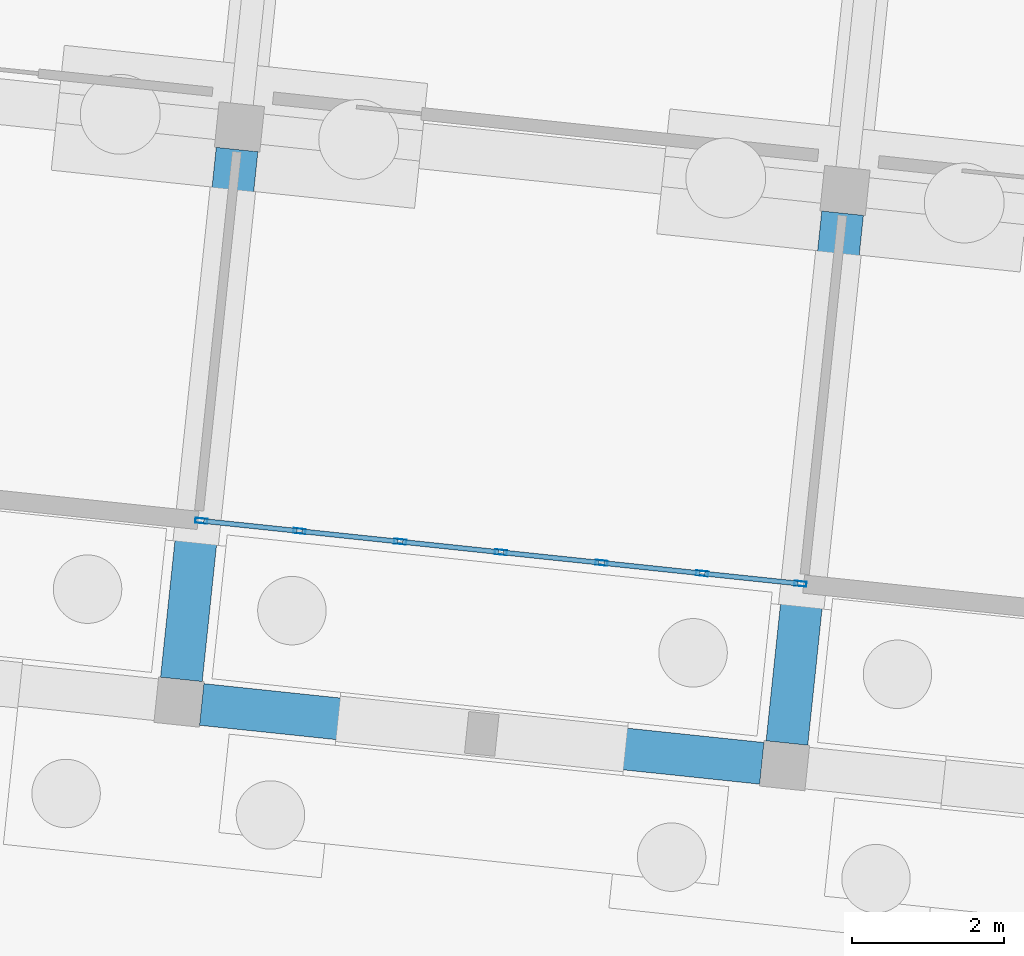
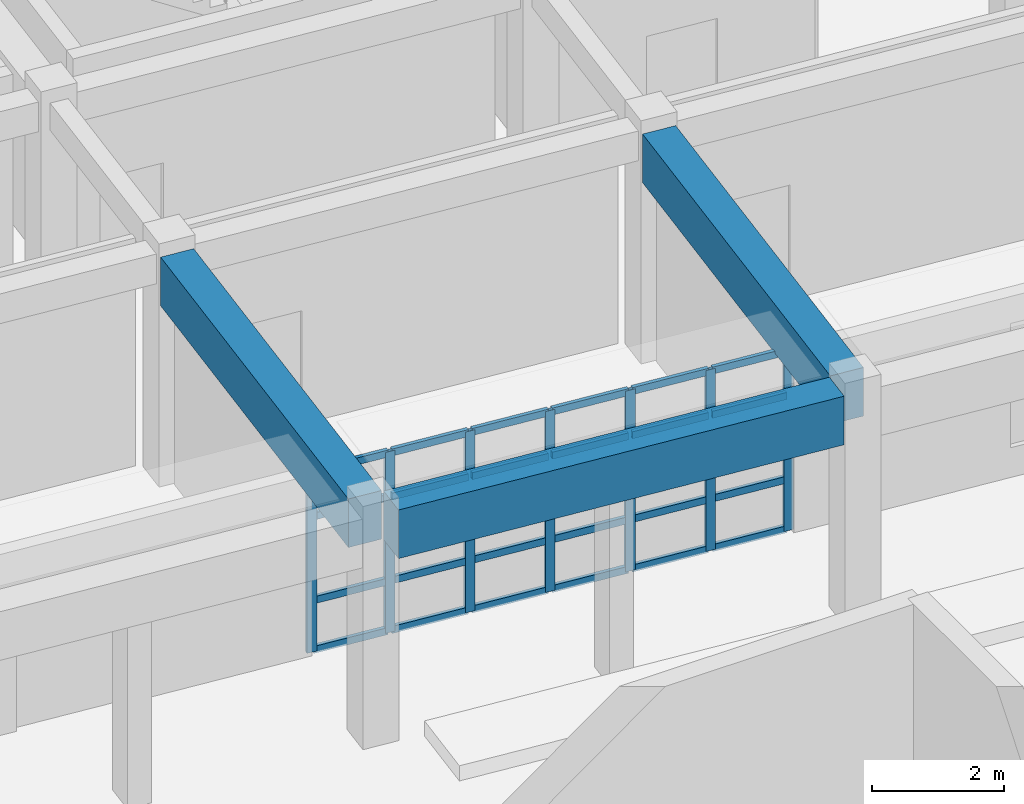
# One storey, part 96 of 154: 31 members, 3 beams, 1 element without a shape of its own.
"""IFC4 building model written with IfcOpenShell, lengths in metres."""

from ifc_helpers import new_model, si_unit, direction, frame, origin, origin_2d, place, context, subcontext, project, spatial, rectangle, hollow_rectangle, extrude, material, material_profile, profile_set, type_object, element, aggregate, save


model = new_model("IFC4")

# Units and contexts
model_context = context("Model", 3, precision=1e-05, world=origin(), true_north=direction((0.0, 1.0)))
body_context = subcontext(model_context, "Body", "Model", "MODEL_VIEW")
ifc_project = project(units=[si_unit("LENGTHUNIT", "METRE"), si_unit("AREAUNIT", "SQUARE_METRE"), si_unit("VOLUMEUNIT", "CUBIC_METRE"), si_unit("PLANEANGLEUNIT", "RADIAN"), si_unit("MASSUNIT", "GRAM", prefix="KILO")], contexts=[model_context])

# Site, building, storey
site_placement = place(None, origin())
site = spatial("IfcSite", under=ifc_project, at=site_placement, CompositionType="ELEMENT")
building_placement = place(site_placement, origin())
building = spatial("IfcBuilding", under=site, at=building_placement, Name="Kestramere Prow Commons", CompositionType="ELEMENT")
storey_placement = place(building_placement, origin())
storey = spatial("IfcBuildingStorey", under=building, at=storey_placement, Name="L00", CompositionType="ELEMENT", Elevation=0.0)

# Curtain wall, members
ifc_material_1 = material(Name="Anodised Aluminium and Low-E Glass", Category="aluminium")
curtain_wall_type = type_object("IfcCurtainWallType", Name="CW-05 Glazed Curtain Wall 7980x3350", PredefinedType="USERDEFINED", material=ifc_material_1)
curtain_wall_placement = place(storey_placement, origin())
curtain_wall = element("IfcCurtainWall", 1, at=curtain_wall_placement, inside=storey, type_object=curtain_wall_type, Name="Block B L00 South Colonnade Storefront 5", ObjectType="GLAZED CURTAIN WALL", PredefinedType="USERDEFINED")
ifc_material_2 = material(Name="Anodised Aluminium 6063-T6", Category="aluminium")
ifc_material_profile_1 = material_profile(ifc_material_2, hollow_rectangle(XDim=0.06494140625, YDim=0.159912109375, WallThickness=0.00390625, at=origin_2d()), Name="ALU-MUL 65x160")
ifc_profile_set_1 = profile_set([ifc_material_profile_1], Name="Anodised Aluminium 6063-T6")
member_type_1 = type_object("IfcMemberType", Name="CW-MUL-65x160", PredefinedType="MULLION", material=ifc_profile_set_1)
member_1_placement = place(storey_placement, frame((149.989501953125, 93.01025390625, 0.0), z_axis=(0.0, 0.0, 1.0), x_axis=(-0.104528442716, -0.994521897528, 0.0)))
member_1 = element("IfcMember", 2, at=member_1_placement, type_object=member_type_1, Name="CW-05 mullion 1", PredefinedType="MULLION", context=body_context, shape_type="SweptSolid", body=[
    extrude(hollow_rectangle(XDim=0.06494140625, YDim=0.159912109375, WallThickness=0.00390625, at=origin_2d()), origin(), (0.0, 0.0, 1.0), 3.35009765625),
])
member_2_placement = place(storey_placement, frame((148.698974609375, 93.145751953125, 0.0), z_axis=(0.0, 0.0, 1.0), x_axis=(-0.104528442716, -0.994521897528, 0.0)))
member_2 = element("IfcMember", 3, at=member_2_placement, type_object=member_type_1, Name="CW-05 mullion 2", PredefinedType="MULLION", context=body_context, shape_type="SweptSolid", body=[
    extrude(hollow_rectangle(XDim=0.06494140625, YDim=0.159912109375, WallThickness=0.00390625, at=origin_2d()), origin(), (0.0, 0.0, 1.0), 3.35009765625),
])
member_3_placement = place(storey_placement, frame((147.37646484375, 93.284912109375, 0.0), z_axis=(0.0, 0.0, 1.0), x_axis=(-0.104528442716, -0.994521897528, 0.0)))
member_3 = element("IfcMember", 4, at=member_3_placement, type_object=member_type_1, Name="CW-05 mullion 3", PredefinedType="MULLION", context=body_context, shape_type="SweptSolid", body=[
    extrude(hollow_rectangle(XDim=0.06494140625, YDim=0.159912109375, WallThickness=0.00390625, at=origin_2d()), origin(), (0.0, 0.0, 1.0), 3.35009765625),
])
member_4_placement = place(storey_placement, frame((146.0537109375, 93.423828125, 0.0), z_axis=(0.0, 0.0, 1.0), x_axis=(-0.104528442716, -0.994521897528, 0.0)))
member_4 = element("IfcMember", 5, at=member_4_placement, type_object=member_type_1, Name="CW-05 mullion 4", PredefinedType="MULLION", context=body_context, shape_type="SweptSolid", body=[
    extrude(hollow_rectangle(XDim=0.06494140625, YDim=0.159912109375, WallThickness=0.00390625, at=origin_2d()), origin(), (0.0, 0.0, 1.0), 3.35009765625),
])
member_5_placement = place(storey_placement, frame((144.73095703125, 93.562744140625, 0.0), z_axis=(0.0, 0.0, 1.0), x_axis=(-0.104528442716, -0.994521897528, 0.0)))
member_5 = element("IfcMember", 6, at=member_5_placement, type_object=member_type_1, Name="CW-05 mullion 5", PredefinedType="MULLION", context=body_context, shape_type="SweptSolid", body=[
    extrude(hollow_rectangle(XDim=0.06494140625, YDim=0.159912109375, WallThickness=0.00390625, at=origin_2d()), origin(), (0.0, 0.0, 1.0), 3.35009765625),
])
member_6_placement = place(storey_placement, frame((143.408203125, 93.701904296875, 0.0), z_axis=(0.0, 0.0, 1.0), x_axis=(-0.104528442716, -0.994521897528, 0.0)))
member_6 = element("IfcMember", 7, at=member_6_placement, type_object=member_type_1, Name="CW-05 mullion 6", PredefinedType="MULLION", context=body_context, shape_type="SweptSolid", body=[
    extrude(hollow_rectangle(XDim=0.06494140625, YDim=0.159912109375, WallThickness=0.00390625, at=origin_2d()), origin(), (0.0, 0.0, 1.0), 3.35009765625),
])
member_7_placement = place(storey_placement, frame((142.117919921875, 93.83740234375, 0.0), z_axis=(0.0, 0.0, 1.0), x_axis=(-0.104528442716, -0.994521897528, 0.0)))
member_7 = element("IfcMember", 8, at=member_7_placement, type_object=member_type_1, Name="CW-05 mullion 7", PredefinedType="MULLION", context=body_context, shape_type="SweptSolid", body=[
    extrude(hollow_rectangle(XDim=0.06494140625, YDim=0.159912109375, WallThickness=0.00390625, at=origin_2d()), origin(), (0.0, 0.0, 1.0), 3.35009765625),
])
ifc_material_profile_2 = material_profile(ifc_material_2, hollow_rectangle(XDim=0.06494140625, YDim=0.1298828125, WallThickness=0.00390625, at=origin_2d()), Name="ALU-TRN 65x130")
ifc_profile_set_2 = profile_set([ifc_material_profile_2], Name="Anodised Aluminium 6063-T6")
member_type_2 = type_object("IfcMemberType", Name="CW-TRN-65x130", PredefinedType="USERDEFINED", material=ifc_profile_set_2)
member_8_placement = place(storey_placement, frame((149.957275390625, 93.013671875, 0.032470703125), z_axis=(-0.994536882975, 0.104385767243, 0.0), x_axis=(-0.104385767243, -0.994536882975, 0.0)))
member_8 = element("IfcMember", 9, at=member_8_placement, type_object=member_type_2, Name="CW-05 transom 1.1", ObjectType="TRANSOM", PredefinedType="USERDEFINED", context=body_context, shape_type="SweptSolid", body=[
    extrude(hollow_rectangle(XDim=0.06494140625, YDim=0.1298828125, WallThickness=0.00390625, at=origin_2d()), origin(), (0.0, 0.0, 1.0), 1.232666015625),
])
member_9_placement = place(storey_placement, frame((149.957275390625, 93.013671875, 0.949951171875), z_axis=(-0.994536882975, 0.104385767243, 0.0), x_axis=(-0.104385767243, -0.994536882975, 0.0)))
member_9 = element("IfcMember", 10, at=member_9_placement, type_object=member_type_2, Name="CW-05 transom 1.2", ObjectType="TRANSOM", PredefinedType="USERDEFINED", context=body_context, shape_type="SweptSolid", body=[
    extrude(hollow_rectangle(XDim=0.06494140625, YDim=0.1298828125, WallThickness=0.00390625, at=origin_2d()), origin(), (0.0, 0.0, 1.0), 1.232666015625),
])
member_10_placement = place(storey_placement, frame((149.957275390625, 93.013671875, 2.5), z_axis=(-0.994536882975, 0.104385767243, 0.0), x_axis=(-0.104385767243, -0.994536882975, 0.0)))
member_10 = element("IfcMember", 11, at=member_10_placement, type_object=member_type_2, Name="CW-05 transom 1.3", ObjectType="TRANSOM", PredefinedType="USERDEFINED", context=body_context, shape_type="SweptSolid", body=[
    extrude(hollow_rectangle(XDim=0.06494140625, YDim=0.1298828125, WallThickness=0.00390625, at=origin_2d()), origin(), (0.0, 0.0, 1.0), 1.232666015625),
])
member_11_placement = place(storey_placement, frame((149.957275390625, 93.013671875, 3.3173828125), z_axis=(-0.994536882975, 0.104385767243, 0.0), x_axis=(-0.104385767243, -0.994536882975, 0.0)))
member_11 = element("IfcMember", 12, at=member_11_placement, type_object=member_type_2, Name="CW-05 transom 1.4", ObjectType="TRANSOM", PredefinedType="USERDEFINED", context=body_context, shape_type="SweptSolid", body=[
    extrude(hollow_rectangle(XDim=0.06494140625, YDim=0.1298828125, WallThickness=0.00390625, at=origin_2d()), origin(), (0.0, 0.0, 1.0), 1.232666015625),
])
member_12_placement = place(storey_placement, frame((148.666748046875, 93.149169921875, 0.032470703125), z_axis=(-0.994513909819, 0.104604412793, 0.0), x_axis=(-0.104604412793, -0.994513909819, 0.0)))
member_12 = element("IfcMember", 13, at=member_12_placement, type_object=member_type_2, Name="CW-05 transom 2.1", ObjectType="TRANSOM", PredefinedType="USERDEFINED", context=body_context, shape_type="SweptSolid", body=[
    extrude(hollow_rectangle(XDim=0.06494140625, YDim=0.1298828125, WallThickness=0.00390625, at=origin_2d()), origin(), (0.0, 0.0, 1.0), 1.264892578125),
])
member_13_placement = place(storey_placement, frame((148.666748046875, 93.149169921875, 0.949951171875), z_axis=(-0.994513909819, 0.104604412793, 0.0), x_axis=(-0.104604412793, -0.994513909819, 0.0)))
member_13 = element("IfcMember", 14, at=member_13_placement, type_object=member_type_2, Name="CW-05 transom 2.2", ObjectType="TRANSOM", PredefinedType="USERDEFINED", context=body_context, shape_type="SweptSolid", body=[
    extrude(hollow_rectangle(XDim=0.06494140625, YDim=0.1298828125, WallThickness=0.00390625, at=origin_2d()), origin(), (0.0, 0.0, 1.0), 1.264892578125),
])
member_14_placement = place(storey_placement, frame((148.666748046875, 93.149169921875, 2.5), z_axis=(-0.994513909819, 0.104604412793, 0.0), x_axis=(-0.104604412793, -0.994513909819, 0.0)))
member_14 = element("IfcMember", 15, at=member_14_placement, type_object=member_type_2, Name="CW-05 transom 2.3", ObjectType="TRANSOM", PredefinedType="USERDEFINED", context=body_context, shape_type="SweptSolid", body=[
    extrude(hollow_rectangle(XDim=0.06494140625, YDim=0.1298828125, WallThickness=0.00390625, at=origin_2d()), origin(), (0.0, 0.0, 1.0), 1.264892578125),
])
member_15_placement = place(storey_placement, frame((148.666748046875, 93.149169921875, 3.3173828125), z_axis=(-0.994513909819, 0.104604412793, 0.0), x_axis=(-0.104604412793, -0.994513909819, 0.0)))
member_15 = element("IfcMember", 16, at=member_15_placement, type_object=member_type_2, Name="CW-05 transom 2.4", ObjectType="TRANSOM", PredefinedType="USERDEFINED", context=body_context, shape_type="SweptSolid", body=[
    extrude(hollow_rectangle(XDim=0.06494140625, YDim=0.1298828125, WallThickness=0.00390625, at=origin_2d()), origin(), (0.0, 0.0, 1.0), 1.264892578125),
])
member_16_placement = place(storey_placement, frame((147.343994140625, 93.2880859375, 0.032470703125), z_axis=(-0.994513909819, 0.104604412793, 0.0), x_axis=(-0.104604412793, -0.994513909819, 0.0)))
member_16 = element("IfcMember", 17, at=member_16_placement, type_object=member_type_2, Name="CW-05 transom 3.1", ObjectType="TRANSOM", PredefinedType="USERDEFINED", context=body_context, shape_type="SweptSolid", body=[
    extrude(hollow_rectangle(XDim=0.06494140625, YDim=0.1298828125, WallThickness=0.00390625, at=origin_2d()), origin(), (0.0, 0.0, 1.0), 1.264892578125),
])
member_17_placement = place(storey_placement, frame((147.343994140625, 93.2880859375, 0.949951171875), z_axis=(-0.994513909819, 0.104604412793, 0.0), x_axis=(-0.104604412793, -0.994513909819, 0.0)))
member_17 = element("IfcMember", 18, at=member_17_placement, type_object=member_type_2, Name="CW-05 transom 3.2", ObjectType="TRANSOM", PredefinedType="USERDEFINED", context=body_context, shape_type="SweptSolid", body=[
    extrude(hollow_rectangle(XDim=0.06494140625, YDim=0.1298828125, WallThickness=0.00390625, at=origin_2d()), origin(), (0.0, 0.0, 1.0), 1.264892578125),
])
member_18_placement = place(storey_placement, frame((147.343994140625, 93.2880859375, 2.5), z_axis=(-0.994513909819, 0.104604412793, 0.0), x_axis=(-0.104604412793, -0.994513909819, 0.0)))
member_18 = element("IfcMember", 19, at=member_18_placement, type_object=member_type_2, Name="CW-05 transom 3.3", ObjectType="TRANSOM", PredefinedType="USERDEFINED", context=body_context, shape_type="SweptSolid", body=[
    extrude(hollow_rectangle(XDim=0.06494140625, YDim=0.1298828125, WallThickness=0.00390625, at=origin_2d()), origin(), (0.0, 0.0, 1.0), 1.264892578125),
])
member_19_placement = place(storey_placement, frame((147.343994140625, 93.2880859375, 3.3173828125), z_axis=(-0.994513909819, 0.104604412793, 0.0), x_axis=(-0.104604412793, -0.994513909819, 0.0)))
member_19 = element("IfcMember", 20, at=member_19_placement, type_object=member_type_2, Name="CW-05 transom 3.4", ObjectType="TRANSOM", PredefinedType="USERDEFINED", context=body_context, shape_type="SweptSolid", body=[
    extrude(hollow_rectangle(XDim=0.06494140625, YDim=0.1298828125, WallThickness=0.00390625, at=origin_2d()), origin(), (0.0, 0.0, 1.0), 1.264892578125),
])
member_20_placement = place(storey_placement, frame((146.021240234375, 93.42724609375, 0.032470703125), z_axis=(-0.994513909819, 0.104604412793, 0.0), x_axis=(-0.104604412793, -0.994513909819, 0.0)))
member_20 = element("IfcMember", 21, at=member_20_placement, type_object=member_type_2, Name="CW-05 transom 4.1", ObjectType="TRANSOM", PredefinedType="USERDEFINED", context=body_context, shape_type="SweptSolid", body=[
    extrude(hollow_rectangle(XDim=0.06494140625, YDim=0.1298828125, WallThickness=0.00390625, at=origin_2d()), origin(), (0.0, 0.0, 1.0), 1.264892578125),
])
member_21_placement = place(storey_placement, frame((146.021240234375, 93.42724609375, 0.949951171875), z_axis=(-0.994513909819, 0.104604412793, 0.0), x_axis=(-0.104604412793, -0.994513909819, 0.0)))
member_21 = element("IfcMember", 22, at=member_21_placement, type_object=member_type_2, Name="CW-05 transom 4.2", ObjectType="TRANSOM", PredefinedType="USERDEFINED", context=body_context, shape_type="SweptSolid", body=[
    extrude(hollow_rectangle(XDim=0.06494140625, YDim=0.1298828125, WallThickness=0.00390625, at=origin_2d()), origin(), (0.0, 0.0, 1.0), 1.264892578125),
])
member_22_placement = place(storey_placement, frame((146.021240234375, 93.42724609375, 2.5), z_axis=(-0.994513909819, 0.104604412793, 0.0), x_axis=(-0.104604412793, -0.994513909819, 0.0)))
member_22 = element("IfcMember", 23, at=member_22_placement, type_object=member_type_2, Name="CW-05 transom 4.3", ObjectType="TRANSOM", PredefinedType="USERDEFINED", context=body_context, shape_type="SweptSolid", body=[
    extrude(hollow_rectangle(XDim=0.06494140625, YDim=0.1298828125, WallThickness=0.00390625, at=origin_2d()), origin(), (0.0, 0.0, 1.0), 1.264892578125),
])
member_23_placement = place(storey_placement, frame((146.021240234375, 93.42724609375, 3.3173828125), z_axis=(-0.994513909819, 0.104604412793, 0.0), x_axis=(-0.104604412793, -0.994513909819, 0.0)))
member_23 = element("IfcMember", 24, at=member_23_placement, type_object=member_type_2, Name="CW-05 transom 4.4", ObjectType="TRANSOM", PredefinedType="USERDEFINED", context=body_context, shape_type="SweptSolid", body=[
    extrude(hollow_rectangle(XDim=0.06494140625, YDim=0.1298828125, WallThickness=0.00390625, at=origin_2d()), origin(), (0.0, 0.0, 1.0), 1.264892578125),
])
member_24_placement = place(storey_placement, frame((144.69873046875, 93.566162109375, 0.032470703125), z_axis=(-0.994516021002, 0.104584339034, 0.0), x_axis=(-0.104584339034, -0.994516021002, 0.0)))
member_24 = element("IfcMember", 25, at=member_24_placement, type_object=member_type_2, Name="CW-05 transom 5.1", ObjectType="TRANSOM", PredefinedType="USERDEFINED", context=body_context, shape_type="SweptSolid", body=[
    extrude(hollow_rectangle(XDim=0.06494140625, YDim=0.1298828125, WallThickness=0.00390625, at=origin_2d()), origin(), (0.0, 0.0, 1.0), 1.26513671875),
])
member_25_placement = place(storey_placement, frame((144.69873046875, 93.566162109375, 0.949951171875), z_axis=(-0.994516021002, 0.104584339034, 0.0), x_axis=(-0.104584339034, -0.994516021002, 0.0)))
member_25 = element("IfcMember", 26, at=member_25_placement, type_object=member_type_2, Name="CW-05 transom 5.2", ObjectType="TRANSOM", PredefinedType="USERDEFINED", context=body_context, shape_type="SweptSolid", body=[
    extrude(hollow_rectangle(XDim=0.06494140625, YDim=0.1298828125, WallThickness=0.00390625, at=origin_2d()), origin(), (0.0, 0.0, 1.0), 1.26513671875),
])
member_26_placement = place(storey_placement, frame((144.69873046875, 93.566162109375, 2.5), z_axis=(-0.994516021002, 0.104584339034, 0.0), x_axis=(-0.104584339034, -0.994516021002, 0.0)))
member_26 = element("IfcMember", 27, at=member_26_placement, type_object=member_type_2, Name="CW-05 transom 5.3", ObjectType="TRANSOM", PredefinedType="USERDEFINED", context=body_context, shape_type="SweptSolid", body=[
    extrude(hollow_rectangle(XDim=0.06494140625, YDim=0.1298828125, WallThickness=0.00390625, at=origin_2d()), origin(), (0.0, 0.0, 1.0), 1.26513671875),
])
member_27_placement = place(storey_placement, frame((144.69873046875, 93.566162109375, 3.3173828125), z_axis=(-0.994516021002, 0.104584339034, 0.0), x_axis=(-0.104584339034, -0.994516021002, 0.0)))
member_27 = element("IfcMember", 28, at=member_27_placement, type_object=member_type_2, Name="CW-05 transom 5.4", ObjectType="TRANSOM", PredefinedType="USERDEFINED", context=body_context, shape_type="SweptSolid", body=[
    extrude(hollow_rectangle(XDim=0.06494140625, YDim=0.1298828125, WallThickness=0.00390625, at=origin_2d()), origin(), (0.0, 0.0, 1.0), 1.26513671875),
])
member_28_placement = place(storey_placement, frame((143.3759765625, 93.705322265625, 0.032470703125), z_axis=(-0.994536882975, 0.104385767243, 0.0), x_axis=(-0.104385767243, -0.994536882975, 0.0)))
member_28 = element("IfcMember", 29, at=member_28_placement, type_object=member_type_2, Name="CW-05 transom 6.1", ObjectType="TRANSOM", PredefinedType="USERDEFINED", context=body_context, shape_type="SweptSolid", body=[
    extrude(hollow_rectangle(XDim=0.06494140625, YDim=0.1298828125, WallThickness=0.00390625, at=origin_2d()), origin(), (0.0, 0.0, 1.0), 1.232666015625),
])
member_29_placement = place(storey_placement, frame((143.3759765625, 93.705322265625, 0.949951171875), z_axis=(-0.994536882975, 0.104385767243, 0.0), x_axis=(-0.104385767243, -0.994536882975, 0.0)))
member_29 = element("IfcMember", 30, at=member_29_placement, type_object=member_type_2, Name="CW-05 transom 6.2", ObjectType="TRANSOM", PredefinedType="USERDEFINED", context=body_context, shape_type="SweptSolid", body=[
    extrude(hollow_rectangle(XDim=0.06494140625, YDim=0.1298828125, WallThickness=0.00390625, at=origin_2d()), origin(), (0.0, 0.0, 1.0), 1.232666015625),
])
member_30_placement = place(storey_placement, frame((143.3759765625, 93.705322265625, 2.5), z_axis=(-0.994536882975, 0.104385767243, 0.0), x_axis=(-0.104385767243, -0.994536882975, 0.0)))
member_30 = element("IfcMember", 31, at=member_30_placement, type_object=member_type_2, Name="CW-05 transom 6.3", ObjectType="TRANSOM", PredefinedType="USERDEFINED", context=body_context, shape_type="SweptSolid", body=[
    extrude(hollow_rectangle(XDim=0.06494140625, YDim=0.1298828125, WallThickness=0.00390625, at=origin_2d()), origin(), (0.0, 0.0, 1.0), 1.232666015625),
])
member_31_placement = place(storey_placement, frame((143.3759765625, 93.705322265625, 3.3173828125), z_axis=(-0.994536882975, 0.104385767243, 0.0), x_axis=(-0.104385767243, -0.994536882975, 0.0)))
member_31 = element("IfcMember", 32, at=member_31_placement, type_object=member_type_2, Name="CW-05 transom 6.4", ObjectType="TRANSOM", PredefinedType="USERDEFINED", context=body_context, shape_type="SweptSolid", body=[
    extrude(hollow_rectangle(XDim=0.06494140625, YDim=0.1298828125, WallThickness=0.00390625, at=origin_2d()), origin(), (0.0, 0.0, 1.0), 1.232666015625),
])
aggregate(curtain_wall, [member_1, member_2, member_3, member_4, member_5, member_6, member_7, member_8, member_9, member_10, member_11, member_12, member_13, member_14, member_15, member_16, member_17, member_18, member_19, member_20, member_21, member_22, member_23, member_24, member_25, member_26, member_27, member_28, member_29, member_30, member_31])

# Beams
ifc_material_3 = material(Name="Precast concrete C40/50", Category="concrete")
ifc_material_profile_3 = material_profile(ifc_material_3, rectangle(XDim=0.550048828125, YDim=0.89990234375, at=origin_2d()), Name="PC-TG 550x900")
ifc_profile_set_3 = profile_set([ifc_material_profile_3], Name="Precast concrete C40/50")
beam_type = type_object("IfcBeamType", Name="TG-01 PC-TG 550x900 (EX)", PredefinedType="BEAM", material=ifc_profile_set_3)
beam_placement = place(storey_placement, frame((142.123046875, 91.423828125, 3.800048828125), z_axis=(0.994519364161, -0.104552543293, 0.0), x_axis=(0.104552543293, 0.994519364161, 0.0)))
element("IfcBeam", 33, at=beam_placement, inside=storey, type_object=beam_type, Name="Block B L00 Longitudinal Beam 1-5", PredefinedType="BEAM", context=body_context, shape_type="SweptSolid", body=[
    extrude(rectangle(XDim=0.550048828125, YDim=0.89990234375, at=origin_2d()), origin(), (0.0, 0.0, 1.0), 7.39990234375),
])
for number, where, z_axis, x_axis, name in (
    (34, (141.85595703125, 91.75341796875, 3.800048828125), (0.104526832686, 0.994522066748, 0.0), (-0.994522066748, 0.104526832686, 0.0), "Block B L00 S Colonnade Transfer Girder 5"),
    (35, (149.812255859375, 90.917236328125, 3.800048828125), (0.104526832686, 0.994522066748, 0.0), (-0.994522066748, 0.104526832686, 0.0), "Block B L00 S Colonnade Transfer Girder 6"),
):
    element("IfcBeam", number, at=place(storey_placement, frame(where, z_axis=z_axis, x_axis=x_axis)), inside=storey, type_object=beam_type, Name=name, PredefinedType="BEAM", context=body_context, shape_type="SweptSolid", body=[
        extrude(rectangle(XDim=0.550048828125, YDim=0.89990234375, at=origin_2d()), origin(), (0.0, 0.0, 1.0), 7.0),
    ])

save(model, "model.ifc")
